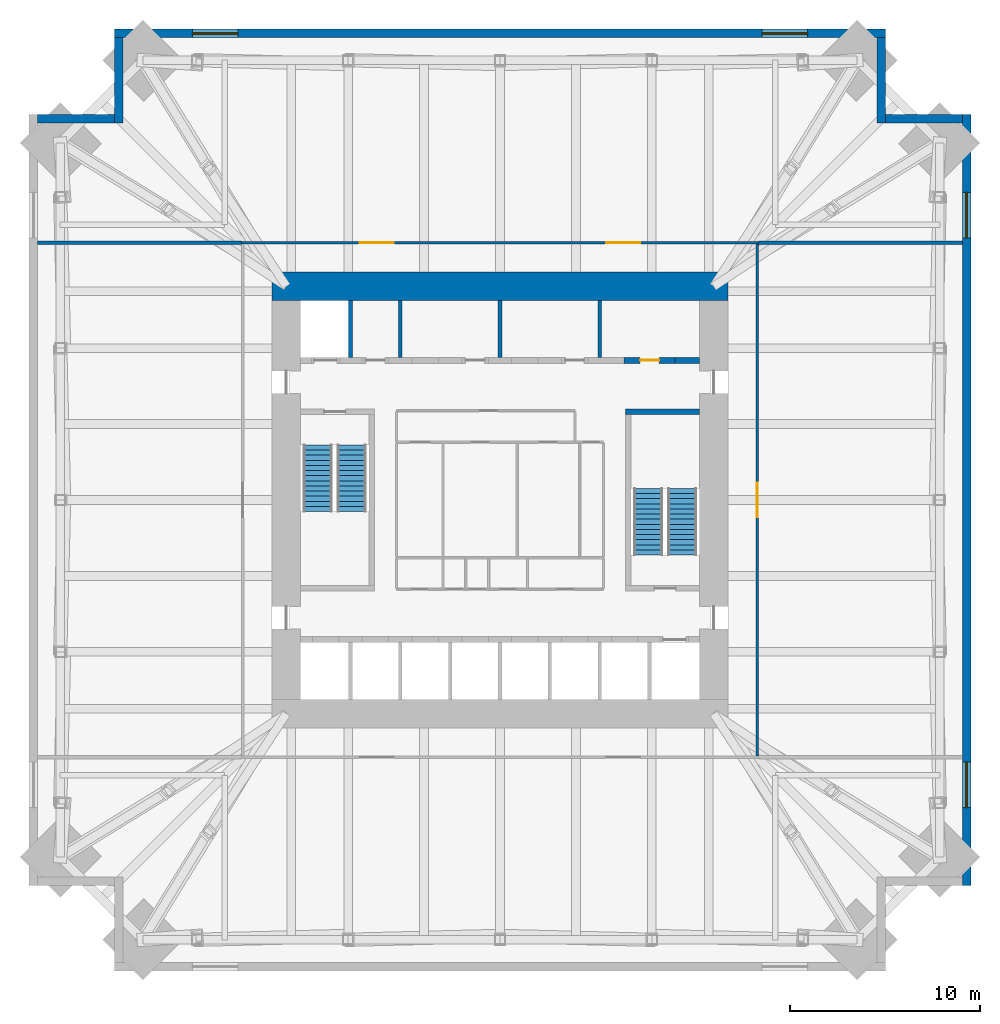
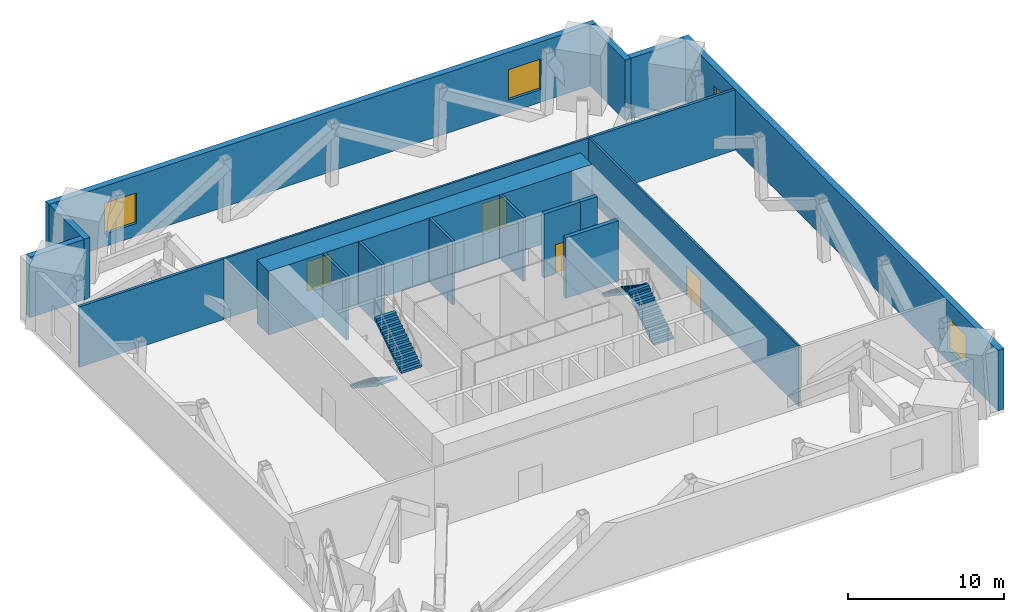
# One storey, part 5 of 6: 18 walls, 4 doors, 4 stair flights, 4 windows, 8 openings, 2 elements without a shape of their own.
"""IFC4 building model written with IfcOpenShell, lengths in metres."""

from ifc_helpers import new_model, si_unit, direction, frame, frame_2d, origin, place, context, subcontext, project, spatial, polyline, rectangle, outline, extrude, material, layer, layer_set, type_object, element, fill, aggregate, save


model = new_model("IFC4")

# Units and contexts
model_context = context("Model", 3, precision=1e-05, world=origin(), true_north=direction((0.0, 1.0)))
body_context = subcontext(model_context, "Body", "Model", "MODEL_VIEW")
ifc_project = project(units=[si_unit("LENGTHUNIT", "METRE"), si_unit("AREAUNIT", "SQUARE_METRE"), si_unit("VOLUMEUNIT", "CUBIC_METRE"), si_unit("PLANEANGLEUNIT", "RADIAN"), si_unit("MASSUNIT", "GRAM", prefix="KILO")], contexts=[model_context])

# Site, building, storey
site_placement = place(None, origin())
site = spatial("IfcSite", under=ifc_project, at=site_placement, CompositionType="ELEMENT")
building_placement = place(site_placement, origin())
building = spatial("IfcBuilding", under=site, at=building_placement, Name="Peilmerk Tower", CompositionType="ELEMENT")
storey_placement = place(building_placement, frame((0.0, 0.0, 191.800048828125)))
storey = spatial("IfcBuildingStorey", under=building, at=storey_placement, Name="L41", CompositionType="ELEMENT", Elevation=191.800048828125)

# Wall, openings, windows
ifc_material_1 = material(Name="Precast concrete C45/55, board-marked finish", Category="concrete")
ifc_layer_1 = layer(ifc_material_1, 0.449951171875)
ifc_layer_set_1 = layer_set([ifc_layer_1], Name="Precast concrete C45/55, board-marked finish")
wall_type_1 = type_object("IfcWallType", Name="EW1 450 precast concrete facade wall, board-marked", PredefinedType="SOLIDWALL", material=ifc_layer_set_1)
wall_1_placement = place(storey_placement, frame((20.300048828125, 24.574951171875, 0.0), z_axis=(0.0, 0.0, 1.0), x_axis=(-1.0, 0.0, 0.0)))
wall_1 = element("IfcWall", 1, at=wall_1_placement, inside=storey, type_object=wall_type_1, Name="Facade wall N L41", PredefinedType="SOLIDWALL", context=body_context, shape_type="SweptSolid", body=[
    extrude(rectangle(XDim=40.60009765625, YDim=0.449951171875, at=frame_2d((20.300048828125, 0.0))), origin(), (0.0, 0.0, 1.0), 4.75),
])
opening_1_placement = place(wall_1_placement, frame((4.10009765625, 0.0, 1.0)))
opening_1 = element("IfcOpeningElement", 2, at=opening_1_placement, cuts=wall_1, Name="Opening W5", PredefinedType="OPENING", context=body_context, shape_type="SweptSolid", body=[
    extrude(rectangle(XDim=2.39990234375, YDim=2.39990234375, at=frame_2d((1.199951171875, 1.199951171875))), frame((0.0, 0.23486328125, 0.0), z_axis=(0.0, -1.0, 0.0), x_axis=(1.0, 0.0, 0.0)), (0.0, 0.0, 1.0), 0.469970703125),
])
opening_2_placement = place(wall_1_placement, frame((34.10009765625, 0.0, 1.0)))
opening_2 = element("IfcOpeningElement", 3, at=opening_2_placement, cuts=wall_1, Name="Opening W5", PredefinedType="OPENING", context=body_context, shape_type="SweptSolid", body=[
    extrude(rectangle(XDim=2.39990234375, YDim=2.39990234375, at=frame_2d((1.199951171875, 1.199951171875))), frame((0.0, 0.23486328125, 0.0), z_axis=(0.0, -1.0, 0.0), x_axis=(1.0, 0.0, 0.0)), (0.0, 0.0, 1.0), 0.469970703125),
])
ifc_material_2 = material(Name="Aluminium frame, clear double glazing", Category="aluminium")
window_type = type_object("IfcWindowType", Name="W5 2400x2400 plant louvre", PartitioningType="SINGLE_PANEL", PredefinedType="WINDOW", material=ifc_material_2)
window_1_placement = place(opening_1_placement, origin())
window_1 = element("IfcWindow", 4, at=window_1_placement, inside=storey, type_object=window_type, Name="Window W5 L41", OverallHeight=2.39990234375, OverallWidth=2.39990234375, PartitioningType="SINGLE_PANEL", PredefinedType="WINDOW", context=body_context, shape_type="SweptSolid", body=[
    extrude(rectangle(XDim=2.39990234375, YDim=2.39990234375, at=frame_2d((1.199951171875, 1.199951171875))), frame((0.0, 0.030029296875, 0.0), z_axis=(0.0, -1.0, 0.0), x_axis=(1.0, 0.0, 0.0)), (0.0, 0.0, 1.0), 0.06005859375),
])
fill(opening_1, window_1)
window_2_placement = place(opening_2_placement, origin())
window_2 = element("IfcWindow", 5, at=window_2_placement, inside=storey, type_object=window_type, Name="Window W5 L41", OverallHeight=2.39990234375, OverallWidth=2.39990234375, PartitioningType="SINGLE_PANEL", PredefinedType="WINDOW", context=body_context, shape_type="SweptSolid", body=[
    extrude(rectangle(XDim=2.39990234375, YDim=2.39990234375, at=frame_2d((1.199951171875, 1.199951171875))), frame((0.0, 0.030029296875, 0.0), z_axis=(0.0, -1.0, 0.0), x_axis=(1.0, 0.0, 0.0)), (0.0, 0.0, 1.0), 0.06005859375),
])
fill(opening_2, window_2)

wall_2_placement = place(storey_placement, frame((24.574951171875, -20.300048828125, 0.0), z_axis=(0.0, 0.0, 1.0), x_axis=(0.0, 1.0, 0.0)))
wall_2 = element("IfcWall", 6, at=wall_2_placement, inside=storey, type_object=wall_type_1, Name="Facade wall E L41", PredefinedType="SOLIDWALL", context=body_context, shape_type="SweptSolid", body=[
    extrude(rectangle(XDim=40.60009765625, YDim=0.449951171875, at=frame_2d((20.300048828125, 0.0))), origin(), (0.0, 0.0, 1.0), 4.75),
])
opening_3_placement = place(wall_2_placement, frame((4.10009765625, 0.0, 1.0)))
opening_3 = element("IfcOpeningElement", 7, at=opening_3_placement, cuts=wall_2, Name="Opening W5", PredefinedType="OPENING", context=body_context, shape_type="SweptSolid", body=[
    extrude(rectangle(XDim=2.39990234375, YDim=2.39990234375, at=frame_2d((1.199951171875, 1.199951171875))), frame((0.0, 0.23486328125, 0.0), z_axis=(0.0, -1.0, 0.0), x_axis=(1.0, 0.0, 0.0)), (0.0, 0.0, 1.0), 0.469970703125),
])
opening_4_placement = place(wall_2_placement, frame((34.10009765625, 0.0, 1.0)))
opening_4 = element("IfcOpeningElement", 8, at=opening_4_placement, cuts=wall_2, Name="Opening W5", PredefinedType="OPENING", context=body_context, shape_type="SweptSolid", body=[
    extrude(rectangle(XDim=2.39990234375, YDim=2.39990234375, at=frame_2d((1.199951171875, 1.199951171875))), frame((0.0, 0.23486328125, 0.0), z_axis=(0.0, -1.0, 0.0), x_axis=(1.0, 0.0, 0.0)), (0.0, 0.0, 1.0), 0.469970703125),
])
window_3_placement = place(opening_3_placement, origin())
window_3 = element("IfcWindow", 9, at=window_3_placement, inside=storey, type_object=window_type, Name="Window W5 L41", OverallHeight=2.39990234375, OverallWidth=2.39990234375, PartitioningType="SINGLE_PANEL", PredefinedType="WINDOW", context=body_context, shape_type="SweptSolid", body=[
    extrude(rectangle(XDim=2.39990234375, YDim=2.39990234375, at=frame_2d((1.199951171875, 1.199951171875))), frame((0.0, 0.030029296875, 0.0), z_axis=(0.0, -1.0, 0.0), x_axis=(1.0, 0.0, 0.0)), (0.0, 0.0, 1.0), 0.06005859375),
])
fill(opening_3, window_3)
window_4_placement = place(opening_4_placement, origin())
window_4 = element("IfcWindow", 10, at=window_4_placement, inside=storey, type_object=window_type, Name="Window W5 L41", OverallHeight=2.39990234375, OverallWidth=2.39990234375, PartitioningType="SINGLE_PANEL", PredefinedType="WINDOW", context=body_context, shape_type="SweptSolid", body=[
    extrude(rectangle(XDim=2.39990234375, YDim=2.39990234375, at=frame_2d((1.199951171875, 1.199951171875))), frame((0.0, 0.030029296875, 0.0), z_axis=(0.0, -1.0, 0.0), x_axis=(1.0, 0.0, 0.0)), (0.0, 0.0, 1.0), 0.06005859375),
])
fill(opening_4, window_4)

# Walls
wall_3_placement = place(storey_placement, frame((20.074951171875, 19.85009765625, 0.0), z_axis=(0.0, 0.0, 1.0), x_axis=(0.0, 1.0, 0.0)))
element("IfcWall", 11, at=wall_3_placement, inside=storey, type_object=wall_type_1, Name="Facade wall NEA L41", PredefinedType="SOLIDWALL", context=body_context, shape_type="SweptSolid", body=[
    extrude(rectangle(XDim=4.5, YDim=0.449951171875, at=frame_2d((2.25, 0.0))), origin(), (0.0, 0.0, 1.0), 4.75),
])
wall_4_placement = place(storey_placement, frame((20.300048828125, 20.074951171875, 0.0), z_axis=(0.0, 0.0, 1.0), x_axis=(1.0, 0.0, 0.0)))
element("IfcWall", 12, at=wall_4_placement, inside=storey, type_object=wall_type_1, Name="Facade wall NEB L41", PredefinedType="SOLIDWALL", context=body_context, shape_type="SweptSolid", body=[
    extrude(rectangle(XDim=4.050048828125, YDim=0.449951171875, at=frame_2d((2.02490234375, 0.0))), origin(), (0.0, 0.0, 1.0), 4.75),
])
wall_5_placement = place(storey_placement, frame((-20.074951171875, 19.85009765625, 0.0), z_axis=(0.0, 0.0, 1.0), x_axis=(0.0, 1.0, 0.0)))
element("IfcWall", 13, at=wall_5_placement, inside=storey, type_object=wall_type_1, Name="Facade wall NWA L41", PredefinedType="SOLIDWALL", context=body_context, shape_type="SweptSolid", body=[
    extrude(rectangle(XDim=4.5, YDim=0.449951171875, at=frame_2d((2.25, 0.0))), origin(), (0.0, 0.0, 1.0), 4.75),
])
wall_6_placement = place(storey_placement, frame((-20.300048828125, 20.074951171875, 0.0), z_axis=(0.0, 0.0, 1.0), x_axis=(-1.0, 0.0, 0.0)))
element("IfcWall", 14, at=wall_6_placement, inside=storey, type_object=wall_type_1, Name="Facade wall NWB L41", PredefinedType="SOLIDWALL", context=body_context, shape_type="SweptSolid", body=[
    extrude(rectangle(XDim=4.050048828125, YDim=0.449951171875, at=frame_2d((2.02490234375, 0.0))), origin(), (0.0, 0.0, 1.0), 4.75),
])

# Wall, openings, doors
ifc_material_3 = material(Name="Calcium silicate block", Category="masonry")
ifc_layer_2 = layer(ifc_material_3, 0.14990234375)
ifc_layer_set_2 = layer_set([ifc_layer_2], Name="Calcium silicate block")
wall_type_2 = type_object("IfcWallType", Name="IW1 150 corridor partition, EI 60", PredefinedType="PARTITIONING", material=ifc_layer_set_2)
wall_7_placement = place(storey_placement, frame((-13.625, 13.550048828125, 0.0), z_axis=(0.0, 0.0, 1.0), x_axis=(1.0, 0.0, 0.0)))
wall_7 = element("IfcWall", 15, at=wall_7_placement, inside=storey, type_object=wall_type_2, Name="Corridor wall N L41", PredefinedType="PARTITIONING", context=body_context, shape_type="SweptSolid", body=[
    extrude(rectangle(XDim=27.25, YDim=0.14990234375, at=frame_2d((13.625, 0.0))), origin(), (0.0, 0.0, 1.0), 4.75),
])
opening_5_placement = place(wall_7_placement, frame((6.22509765625, 0.0, 0.0)))
opening_5 = element("IfcOpeningElement", 16, at=opening_5_placement, cuts=wall_7, Name="Opening D2", PredefinedType="OPENING", context=body_context, shape_type="SweptSolid", body=[
    extrude(rectangle(XDim=1.800048828125, YDim=2.300048828125, at=frame_2d((0.89990234375, 1.14990234375))), frame((0.0, 0.0849609375, 0.0), z_axis=(0.0, -1.0, 0.0), x_axis=(1.0, 0.0, 0.0)), (0.0, 0.0, 1.0), 0.169921875),
])
opening_6_placement = place(wall_7_placement, frame((19.22509765625, 0.0, 0.0)))
opening_6 = element("IfcOpeningElement", 17, at=opening_6_placement, cuts=wall_7, Name="Opening D2", PredefinedType="OPENING", context=body_context, shape_type="SweptSolid", body=[
    extrude(rectangle(XDim=1.800048828125, YDim=2.300048828125, at=frame_2d((0.89990234375, 1.14990234375))), frame((0.0, 0.0849609375, 0.0), z_axis=(0.0, -1.0, 0.0), x_axis=(1.0, 0.0, 0.0)), (0.0, 0.0, 1.0), 0.169921875),
])
ifc_material_4 = material(Name="Steel door in steel frame", Category="steel")
door_type_1 = type_object("IfcDoorType", Name="D2 1800x2300 double door, EI2 60", OperationType="DOUBLE_DOOR_DOUBLE_SWING", PredefinedType="DOOR", material=ifc_material_4)
door_1_placement = place(opening_5_placement, origin())
door_1 = element("IfcDoor", 18, at=door_1_placement, inside=storey, type_object=door_type_1, Name="Door Plant room L41", OperationType="DOUBLE_DOOR_DOUBLE_SWING", OverallHeight=2.300048828125, OverallWidth=1.800048828125, PredefinedType="DOOR", context=body_context, shape_type="SweptSolid", body=[
    extrude(rectangle(XDim=1.800048828125, YDim=2.300048828125, at=frame_2d((0.89990234375, 1.14990234375))), frame((0.0, 0.02490234375, 0.0), z_axis=(0.0, -1.0, 0.0), x_axis=(1.0, 0.0, 0.0)), (0.0, 0.0, 1.0), 0.050048828125),
])
fill(opening_5, door_1)
door_2_placement = place(opening_6_placement, origin())
door_2 = element("IfcDoor", 19, at=door_2_placement, inside=storey, type_object=door_type_1, Name="Door Plant room L41", OperationType="DOUBLE_DOOR_DOUBLE_SWING", OverallHeight=2.300048828125, OverallWidth=1.800048828125, PredefinedType="DOOR", context=body_context, shape_type="SweptSolid", body=[
    extrude(rectangle(XDim=1.800048828125, YDim=2.300048828125, at=frame_2d((0.89990234375, 1.14990234375))), frame((0.0, 0.02490234375, 0.0), z_axis=(0.0, -1.0, 0.0), x_axis=(1.0, 0.0, 0.0)), (0.0, 0.0, 1.0), 0.050048828125),
])
fill(opening_6, door_2)

# Wall, opening, door
wall_8_placement = place(storey_placement, frame((13.550048828125, -13.47509765625, 0.0), z_axis=(0.0, 0.0, 1.0), x_axis=(0.0, 1.0, 0.0)))
wall_8 = element("IfcWall", 20, at=wall_8_placement, inside=storey, type_object=wall_type_2, Name="Corridor wall E L41", PredefinedType="PARTITIONING", context=body_context, shape_type="SweptSolid", body=[
    extrude(rectangle(XDim=26.9501953125, YDim=0.14990234375, at=frame_2d((13.47509765625, 0.0))), origin(), (0.0, 0.0, 1.0), 4.75),
])
opening_7_placement = place(wall_8_placement, frame((12.574951171875, 0.0, 0.0)))
opening_7 = element("IfcOpeningElement", 21, at=opening_7_placement, cuts=wall_8, Name="Opening D2", PredefinedType="OPENING", context=body_context, shape_type="SweptSolid", body=[
    extrude(rectangle(XDim=1.800048828125, YDim=2.300048828125, at=frame_2d((0.89990234375, 1.14990234375))), frame((0.0, 0.0849609375, 0.0), z_axis=(0.0, -1.0, 0.0), x_axis=(1.0, 0.0, 0.0)), (0.0, 0.0, 1.0), 0.169921875),
])
door_3_placement = place(opening_7_placement, frame((1.800048828125, 0.0, 0.0), z_axis=(0.0, 0.0, 1.0), x_axis=(-1.0, 0.0, 0.0)))
door_3 = element("IfcDoor", 22, at=door_3_placement, inside=storey, type_object=door_type_1, Name="Door Refuge area L41", OperationType="DOUBLE_DOOR_DOUBLE_SWING", OverallHeight=2.300048828125, OverallWidth=1.800048828125, PredefinedType="DOOR", context=body_context, shape_type="SweptSolid", body=[
    extrude(rectangle(XDim=1.800048828125, YDim=2.300048828125, at=frame_2d((0.89990234375, 1.14990234375))), frame((0.0, 0.02490234375, 0.0), z_axis=(0.0, -1.0, 0.0), x_axis=(1.0, 0.0, 0.0)), (0.0, 0.0, 1.0), 0.050048828125),
])
fill(opening_7, door_3)

# Walls
ifc_layer_3 = layer(ifc_material_3, 0.199951171875)
ifc_layer_set_3 = layer_set([ifc_layer_3], Name="Calcium silicate block")
wall_type_3 = type_object("IfcWallType", Name="IW2 200 room separating wall, EI 120", PredefinedType="PARTITIONING", material=ifc_layer_set_3)
for number, where, z_axis, x_axis, name in (
    (23, (13.625, 13.550048828125, 0.0), (0.0, 0.0, 1.0), (1.0, 0.0, 0.0), "Room separating wall NE L41"),
    (24, (-24.35009765625, 13.550048828125, 0.0), (0.0, 0.0, 1.0), (1.0, 0.0, 0.0), "Room separating wall NW L41"),
):
    element("IfcWall", number, at=place(storey_placement, frame(where, z_axis=z_axis, x_axis=x_axis)), inside=storey, type_object=wall_type_3, Name=name, PredefinedType="PARTITIONING", context=body_context, shape_type="SweptSolid", body=[
        extrude(rectangle(XDim=10.72509765625, YDim=0.199951171875, at=frame_2d((5.362548828125, 0.0))), origin(), (0.0, 0.0, 1.0), 4.75),
    ])
ifc_material_5 = material(Name="Concrete C35/45", Category="concrete")
ifc_layer_4 = layer(ifc_material_5, 0.300048828125)
ifc_layer_set_4 = layer_set([ifc_layer_4], Name="Concrete C35/45")
wall_type_4 = type_object("IfcWallType", Name="IW3 300 concrete stair enclosure wall, EI 120", PredefinedType="SOLIDWALL", material=ifc_layer_set_4)
wall_9_placement = place(storey_placement, frame((6.60009765625, 4.64990234375, 0.0), z_axis=(0.0, 0.0, 1.0), x_axis=(1.0, 0.0, 0.0)))
element("IfcWall", 25, at=wall_9_placement, inside=storey, type_object=wall_type_4, Name="Stair 2 enclosure L41", PredefinedType="SOLIDWALL", context=body_context, shape_type="SweptSolid", body=[
    extrude(rectangle(XDim=3.89990234375, YDim=0.300048828125, at=frame_2d((1.949951171875, 0.0))), origin(), (0.0, 0.0, 1.0), 4.75),
])
ifc_layer_5 = layer(ifc_material_3, 0.199951171875)
ifc_layer_set_5 = layer_set([ifc_layer_5], Name="Calcium silicate block")
wall_type_5 = type_object("IfcWallType", Name="SH1 200 shaft dividing wall, EI 120", PredefinedType="PARTITIONING", material=ifc_layer_set_5)
for number, where, z_axis, x_axis, name in (
    (26, (-7.875, 7.5, 0.0), (0.0, 0.0, 1.0), (0.0, 1.0, 0.0), "Shaft wall N FL1 L41"),
    (27, (-5.25, 7.5, 0.0), (0.0, 0.0, 1.0), (0.0, 1.0, 0.0), "Shaft wall N A1 L41"),
    (28, (0.0, 7.5, 0.0), (0.0, 0.0, 1.0), (0.0, 1.0, 0.0), "Shaft wall N A3 L41"),
    (29, (5.25, 7.5, 0.0), (0.0, 0.0, 1.0), (0.0, 1.0, 0.0), "Shaft wall N S2 L41"),
):
    element("IfcWall", number, at=place(storey_placement, frame(where, z_axis=z_axis, x_axis=x_axis)), inside=storey, type_object=wall_type_5, Name=name, PredefinedType="PARTITIONING", context=body_context, shape_type="SweptSolid", body=[
        extrude(rectangle(XDim=3.0, YDim=0.199951171875, at=frame_2d((1.5, 0.0))), origin(), (0.0, 0.0, 1.0), 5.0),
    ])

# Wall, opening, door
ifc_layer_6 = layer(ifc_material_3, 0.300048828125)
ifc_layer_set_6 = layer_set([ifc_layer_6], Name="Calcium silicate block")
wall_type_6 = type_object("IfcWallType", Name="SH2 300 lift landing door panel, EI 120", PredefinedType="PARTITIONING", material=ifc_layer_set_6)
wall_10_placement = place(storey_placement, frame((6.52490234375, 7.35009765625, 0.0), z_axis=(0.0, 0.0, 1.0), x_axis=(1.0, 0.0, 0.0)))
wall_10 = element("IfcWall", 30, at=wall_10_placement, inside=storey, type_object=wall_type_6, Name="Lift door panel N GL1 L41", PredefinedType="PARTITIONING", context=body_context, shape_type="SweptSolid", body=[
    extrude(rectangle(XDim=2.7001953125, YDim=0.300048828125, at=frame_2d((1.35009765625, 0.0))), origin(), (0.0, 0.0, 1.0), 5.0),
])
opening_8_placement = place(wall_10_placement, frame((0.85009765625, 0.0, 0.0)))
opening_8 = element("IfcOpeningElement", 31, at=opening_8_placement, cuts=wall_10, Name="Opening D10", PredefinedType="OPENING", context=body_context, shape_type="SweptSolid", body=[
    extrude(rectangle(XDim=1.0, YDim=2.300048828125, at=frame_2d((0.5, 1.14990234375))), frame((0.0, 0.159912109375, 0.0), z_axis=(0.0, -1.0, 0.0), x_axis=(1.0, 0.0, 0.0)), (0.0, 0.0, 1.0), 0.320068359375),
])
door_type_2 = type_object("IfcDoorType", Name="D10 1000x2300 core room door, EI2 60", OperationType="SINGLE_SWING_RIGHT", PredefinedType="DOOR", material=ifc_material_4)
door_4_placement = place(opening_8_placement, origin())
door_4 = element("IfcDoor", 32, at=door_4_placement, inside=storey, type_object=door_type_2, Name="Door Water plant room L41", OperationType="SINGLE_SWING_RIGHT", OverallHeight=2.300048828125, OverallWidth=1.0, PredefinedType="DOOR", context=body_context, shape_type="SweptSolid", body=[
    extrude(rectangle(XDim=1.0, YDim=2.300048828125, at=frame_2d((0.5, 1.14990234375))), frame((0.0, 0.02490234375, 0.0), z_axis=(0.0, -1.0, 0.0), x_axis=(1.0, 0.0, 0.0)), (0.0, 0.0, 1.0), 0.050048828125),
])
fill(opening_8, door_4)

# Walls
ifc_material_6 = material(Name="Concrete C55/67", Category="concrete")
ifc_layer_7 = layer(ifc_material_6, 1.5)
ifc_layer_set_7 = layer_set([ifc_layer_7], Name="Concrete C55/67")
wall_type_7 = type_object("IfcWallType", Name="SW1 1500 core wall", PredefinedType="SHEAR", material=ifc_layer_set_7)
wall_11_placement = place(storey_placement, frame((-12.0, 11.25, 0.0), z_axis=(0.0, 0.0, 1.0), x_axis=(1.0, 0.0, 0.0)))
element("IfcWall", 33, at=wall_11_placement, inside=storey, type_object=wall_type_7, Name="Core wall N L41", PredefinedType="SHEAR", context=body_context, shape_type="SweptSolid", body=[
    extrude(rectangle(XDim=24.0, YDim=1.5, at=frame_2d((12.0, 0.0))), origin(), (0.0, 0.0, 1.0), 5.0),
])
ifc_layer_8 = layer(ifc_material_6, 0.300048828125)
ifc_layer_set_8 = layer_set([ifc_layer_8], Name="Concrete C55/67")
wall_type_8 = type_object("IfcWallType", Name="SW2 300 lift bank pier", PredefinedType="SHEAR", material=ifc_layer_set_8)
wall_12_placement = place(storey_placement, frame((9.22509765625, 7.35009765625, 0.0), z_axis=(0.0, 0.0, 1.0), x_axis=(1.0, 0.0, 0.0)))
element("IfcWall", 34, at=wall_12_placement, inside=storey, type_object=wall_type_8, Name="Lift bank pier N L41", PredefinedType="SHEAR", context=body_context, shape_type="SweptSolid", body=[
    extrude(rectangle(XDim=1.27490234375, YDim=0.300048828125, at=frame_2d((0.637451171875, 0.0))), origin(), (0.0, 0.0, 1.0), 5.0),
])

# Stair, stair flights
ifc_material_7 = material(Name="Precast concrete C45/55", Category="concrete")
stair_type_1 = type_object("IfcStairType", Name="ST1 28 risers of 178.6", PredefinedType="HALF_TURN_STAIR", material=ifc_material_7)
stair_1_placement = place(storey_placement, origin())
stair_1 = element("IfcStair", 35, at=stair_1_placement, inside=storey, type_object=stair_type_1, Name="Stair 1 L41 to L42", PredefinedType="HALF_TURN_STAIR")
stair_flight_type = type_object("IfcStairFlightType", Name="SF14 flight, 14 risers of 178.6", PredefinedType="STRAIGHT", material=ifc_material_7)
stair_flight_1_placement = place(storey_placement, frame((-9.60009765625, 2.89990234375, 0.0), z_axis=(0.0, 0.0, 1.0), x_axis=(0.0, -1.0, 0.0)))
stair_flight_1 = element("IfcStairFlight", 36, at=stair_flight_1_placement, type_object=stair_flight_type, Name="ST1 flight 1", NumberOfRisers=14, NumberOfTreads=13, PredefinedType="STRAIGHT", RiserHeight=0.178571429, TreadLength=0.27, context=body_context, shape_type="SweptSolid", body=[
    extrude(outline(polyline([(0.0, 0.0), (0.0, 0.178466796875), (0.27001953125, 0.178466796875), (0.27001953125, 0.357177734375), (0.5400390625, 0.357177734375), (0.5400390625, 0.53564453125), (0.81005859375, 0.53564453125), (0.81005859375, 0.71435546875), (1.080078125, 0.71435546875), (1.080078125, 0.892822265625), (1.35009765625, 0.892822265625), (1.35009765625, 1.071533203125), (1.6201171875, 1.071533203125), (1.6201171875, 1.25), (1.889892578125, 1.25), (1.889892578125, 1.428466796875), (2.159912109375, 1.428466796875), (2.159912109375, 1.607177734375), (2.429931640625, 1.607177734375), (2.429931640625, 1.78564453125), (2.699951171875, 1.78564453125), (2.699951171875, 1.96435546875), (2.969970703125, 1.96435546875), (2.969970703125, 2.142822265625), (3.239990234375, 2.142822265625), (3.239990234375, 2.321533203125), (3.510009765625, 2.321533203125), (3.510009765625, 2.5), (3.510009765625, 2.1416015625), (0.271728515625, 0.0), (0.0, 0.0)])), frame((0.0, 0.75, 0.0), z_axis=(0.0, -1.0, 0.0), x_axis=(1.0, 0.0, 0.0)), (0.0, 0.0, 1.0), 1.5),
])
stair_flight_2_placement = place(storey_placement, frame((-7.800048828125, -0.610107421875, 2.5), z_axis=(0.0, 0.0, 1.0), x_axis=(0.0, 1.0, 0.0)))
stair_flight_2 = element("IfcStairFlight", 37, at=stair_flight_2_placement, type_object=stair_flight_type, Name="ST1 flight 2", NumberOfRisers=14, NumberOfTreads=13, PredefinedType="STRAIGHT", RiserHeight=0.178571429, TreadLength=0.27, context=body_context, shape_type="SweptSolid", body=[
    extrude(outline(polyline([(0.0, 0.0), (0.0, 0.178466796875), (0.27001953125, 0.178466796875), (0.27001953125, 0.357177734375), (0.5400390625, 0.357177734375), (0.5400390625, 0.53564453125), (0.81005859375, 0.53564453125), (0.81005859375, 0.71435546875), (1.080078125, 0.71435546875), (1.080078125, 0.892822265625), (1.35009765625, 0.892822265625), (1.35009765625, 1.071533203125), (1.6201171875, 1.071533203125), (1.6201171875, 1.25), (1.889892578125, 1.25), (1.889892578125, 1.428466796875), (2.159912109375, 1.428466796875), (2.159912109375, 1.607177734375), (2.429931640625, 1.607177734375), (2.429931640625, 1.78564453125), (2.699951171875, 1.78564453125), (2.699951171875, 1.96435546875), (2.969970703125, 1.96435546875), (2.969970703125, 2.142822265625), (3.239990234375, 2.142822265625), (3.239990234375, 2.321533203125), (3.510009765625, 2.321533203125), (3.510009765625, 2.5), (3.510009765625, 2.1416015625), (0.271728515625, 0.0), (0.0, 0.0)])), frame((0.0, 0.75, 0.0), z_axis=(0.0, -1.0, 0.0), x_axis=(1.0, 0.0, 0.0)), (0.0, 0.0, 1.0), 1.5),
])
aggregate(stair_1, [stair_flight_1, stair_flight_2])

stair_type_2 = type_object("IfcStairType", Name="ST2 28 risers of 178.6", PredefinedType="HALF_TURN_STAIR", material=ifc_material_7)
stair_2_placement = place(storey_placement, origin())
stair_2 = element("IfcStair", 38, at=stair_2_placement, inside=storey, type_object=stair_type_2, Name="Stair 2 L41 to L42", PredefinedType="HALF_TURN_STAIR")
stair_flight_3_placement = place(storey_placement, frame((9.60009765625, -2.89990234375, 0.0), z_axis=(0.0, 0.0, 1.0), x_axis=(0.0, 1.0, 0.0)))
stair_flight_3 = element("IfcStairFlight", 39, at=stair_flight_3_placement, type_object=stair_flight_type, Name="ST2 flight 1", NumberOfRisers=14, NumberOfTreads=13, PredefinedType="STRAIGHT", RiserHeight=0.178571429, TreadLength=0.27, context=body_context, shape_type="SweptSolid", body=[
    extrude(outline(polyline([(0.0, 0.0), (0.0, 0.178466796875), (0.27001953125, 0.178466796875), (0.27001953125, 0.357177734375), (0.5400390625, 0.357177734375), (0.5400390625, 0.53564453125), (0.81005859375, 0.53564453125), (0.81005859375, 0.71435546875), (1.080078125, 0.71435546875), (1.080078125, 0.892822265625), (1.35009765625, 0.892822265625), (1.35009765625, 1.071533203125), (1.6201171875, 1.071533203125), (1.6201171875, 1.25), (1.889892578125, 1.25), (1.889892578125, 1.428466796875), (2.159912109375, 1.428466796875), (2.159912109375, 1.607177734375), (2.429931640625, 1.607177734375), (2.429931640625, 1.78564453125), (2.699951171875, 1.78564453125), (2.699951171875, 1.96435546875), (2.969970703125, 1.96435546875), (2.969970703125, 2.142822265625), (3.239990234375, 2.142822265625), (3.239990234375, 2.321533203125), (3.510009765625, 2.321533203125), (3.510009765625, 2.5), (3.510009765625, 2.1416015625), (0.271728515625, 0.0), (0.0, 0.0)])), frame((0.0, 0.75, 0.0), z_axis=(0.0, -1.0, 0.0), x_axis=(1.0, 0.0, 0.0)), (0.0, 0.0, 1.0), 1.5),
])
stair_flight_4_placement = place(storey_placement, frame((7.800048828125, 0.610107421875, 2.5), z_axis=(0.0, 0.0, 1.0), x_axis=(0.0, -1.0, 0.0)))
stair_flight_4 = element("IfcStairFlight", 40, at=stair_flight_4_placement, type_object=stair_flight_type, Name="ST2 flight 2", NumberOfRisers=14, NumberOfTreads=13, PredefinedType="STRAIGHT", RiserHeight=0.178571429, TreadLength=0.27, context=body_context, shape_type="SweptSolid", body=[
    extrude(outline(polyline([(0.0, 0.0), (0.0, 0.178466796875), (0.27001953125, 0.178466796875), (0.27001953125, 0.357177734375), (0.5400390625, 0.357177734375), (0.5400390625, 0.53564453125), (0.81005859375, 0.53564453125), (0.81005859375, 0.71435546875), (1.080078125, 0.71435546875), (1.080078125, 0.892822265625), (1.35009765625, 0.892822265625), (1.35009765625, 1.071533203125), (1.6201171875, 1.071533203125), (1.6201171875, 1.25), (1.889892578125, 1.25), (1.889892578125, 1.428466796875), (2.159912109375, 1.428466796875), (2.159912109375, 1.607177734375), (2.429931640625, 1.607177734375), (2.429931640625, 1.78564453125), (2.699951171875, 1.78564453125), (2.699951171875, 1.96435546875), (2.969970703125, 1.96435546875), (2.969970703125, 2.142822265625), (3.239990234375, 2.142822265625), (3.239990234375, 2.321533203125), (3.510009765625, 2.321533203125), (3.510009765625, 2.5), (3.510009765625, 2.1416015625), (0.271728515625, 0.0), (0.0, 0.0)])), frame((0.0, 0.75, 0.0), z_axis=(0.0, -1.0, 0.0), x_axis=(1.0, 0.0, 0.0)), (0.0, 0.0, 1.0), 1.5),
])
aggregate(stair_2, [stair_flight_3, stair_flight_4])

save(model, "model.ifc")
